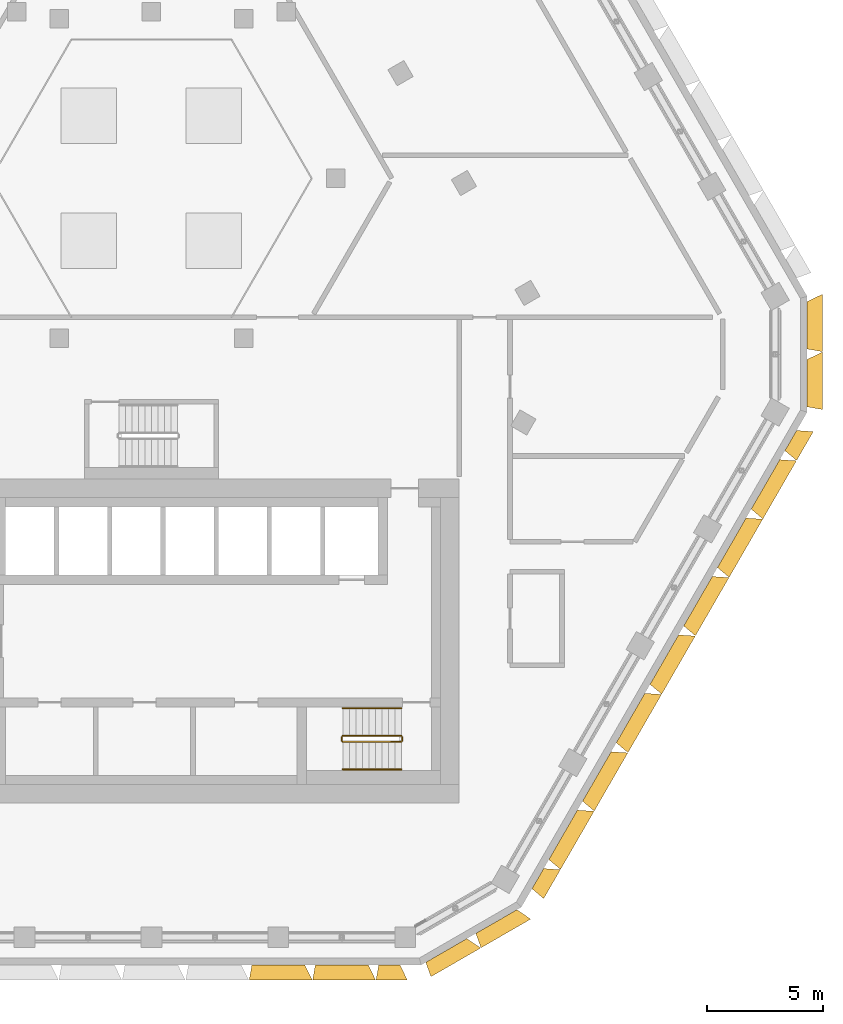
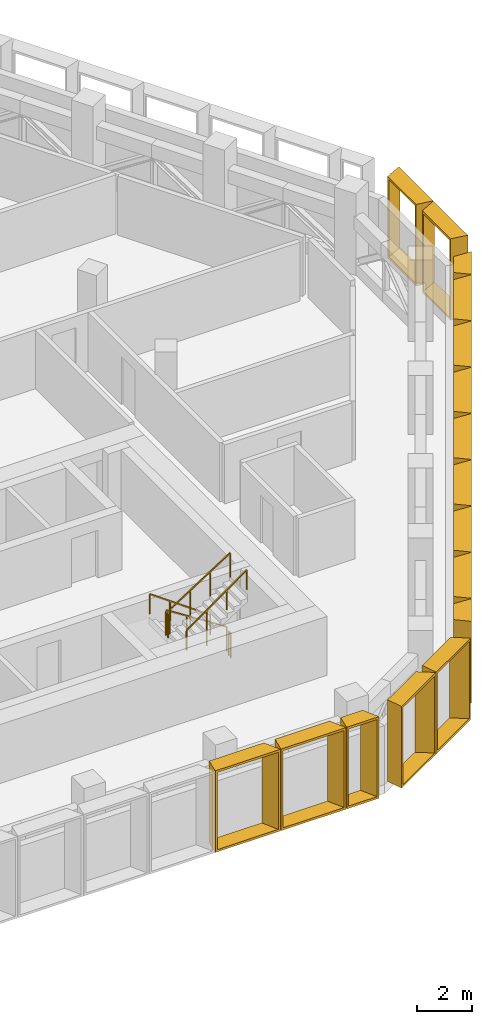
# One storey, part 21 of 22: 16 shading devices, 6 railings.
"""IFC4 building model written with IfcOpenShell, lengths in metres."""

from ifc_helpers import new_model, entity, si_unit, direction, frame, origin, origin_2d, place, context, subcontext, project, spatial, rectangle, extrude, source, transform, mapped, material, type_object, type_shapes, element, save


model = new_model("IFC4")

# Units and contexts
model_context = context("Model", 3, precision=1e-05, world=origin(), true_north=direction((0.0, 1.0)))
body_context = subcontext(model_context, "Body", "Model", "MODEL_VIEW")
ifc_project = project(units=[si_unit("LENGTHUNIT", "METRE"), si_unit("AREAUNIT", "SQUARE_METRE"), si_unit("VOLUMEUNIT", "CUBIC_METRE"), si_unit("PLANEANGLEUNIT", "RADIAN"), si_unit("MASSUNIT", "GRAM", prefix="KILO")], contexts=[model_context])

# Site, building, storey
site_placement = place(None, origin())
site = spatial("IfcSite", under=ifc_project, at=site_placement, CompositionType="ELEMENT")
building_placement = place(site_placement, origin())
building = spatial("IfcBuilding", under=site, at=building_placement, Name="Beryl Residences", CompositionType="ELEMENT")
storey_placement = place(building_placement, frame((0.0, 0.0, 153.60009765625)))
storey = spatial("IfcBuildingStorey", under=building, at=storey_placement, Name="L47", CompositionType="ELEMENT", Elevation=153.60009765625)

# Shading devices
ifc_material_1 = material(Name="Aluminium pale anodised", Category="aluminium")
shading_device_type_1 = type_object("IfcShadingDeviceType", Name="FR137-65C-H36 OUTER SKIN frame 650 mm deep, splay 10/26 deg, 1370 x 3600 mm cell", PredefinedType="USERDEFINED", material=ifc_material_1)
cartesian_point_1 = entity("IfcCartesianPoint", [-0.458984375, 0.0])
cartesian_point_2 = entity("IfcCartesianPoint", [-0.377685546875, 0.10009765625])
cartesian_point_3 = entity("IfcCartesianPoint", [-0.57373046875, 0.0])
cartesian_point_4 = entity("IfcCartesianPoint", [-0.492431640625, 0.10009765625])
shared_shape_1 = source(origin(), body_context, "Body", "SweptSolid", [
    entity("IfcExtrudedAreaSolidTapered", entity("IfcArbitraryProfileDefWithVoids", "AREA", None, entity("IfcPolyline", [cartesian_point_1, entity("IfcCartesianPoint", [0.458984375, 0.0]), entity("IfcCartesianPoint", [0.458984375, 3.60009765625]), entity("IfcCartesianPoint", [-0.458984375, 3.60009765625]), cartesian_point_1]), [entity("IfcPolyline", [cartesian_point_2, entity("IfcCartesianPoint", [0.369873046875, 0.10009765625]), entity("IfcCartesianPoint", [0.369873046875, 3.5]), entity("IfcCartesianPoint", [-0.377685546875, 3.5]), cartesian_point_2])]), entity("IfcAxis2Placement3D", entity("IfcCartesianPoint", [0.0, 0.0, 0.0]), entity("IfcDirection", [0.0, 1.0, 0.0]), entity("IfcDirection", [-1.0, 0.0, 0.0])), entity("IfcDirection", [0.0, 0.0, 1.0]), 0.64990234375, entity("IfcArbitraryProfileDefWithVoids", "AREA", None, entity("IfcPolyline", [cartesian_point_3, entity("IfcCartesianPoint", [0.776123046875, 0.0]), entity("IfcCartesianPoint", [0.776123046875, 3.60009765625]), entity("IfcCartesianPoint", [-0.57373046875, 3.60009765625]), cartesian_point_3]), [entity("IfcPolyline", [cartesian_point_4, entity("IfcCartesianPoint", [0.68701171875, 0.10009765625]), entity("IfcCartesianPoint", [0.68701171875, 3.5]), entity("IfcCartesianPoint", [-0.492431640625, 3.5]), cartesian_point_4])])),
])
type_shapes(shading_device_type_1, [shared_shape_1])
shading_device_placement = place(storey_placement, frame((10.284912109375, -26.0, 0.0), z_axis=(0.0, 0.0, 1.0), x_axis=(-1.0, 0.0, 0.0)))
element("IfcShadingDevice", 1, at=shading_device_placement, inside=storey, type_object=shading_device_type_1, Name="FR137-65C-H36 frame L47 S 9", ObjectType="OUTER SKIN", PredefinedType="USERDEFINED", context=body_context, shape_type="MappedRepresentation", body=[
    mapped(shared_shape_1, transform((0.0, 0.0, 0.0))),
])
ifc_material_2 = material(Name="Aluminium pale anodised", Category="aluminium")
shading_device_type_2 = type_object("IfcShadingDeviceType", Name="FR146-65C-H36 OUTER SKIN frame 650 mm deep, splay 10/26 deg, 1460 x 3600 mm cell", PredefinedType="USERDEFINED", material=ifc_material_2)
cartesian_point_5 = entity("IfcCartesianPoint", [-0.50390625, 0.0])
cartesian_point_6 = entity("IfcCartesianPoint", [-0.4228515625, 0.10009765625])
cartesian_point_7 = entity("IfcCartesianPoint", [-0.61865234375, 0.0])
cartesian_point_8 = entity("IfcCartesianPoint", [-0.537353515625, 0.10009765625])
shared_shape_2 = source(origin(), body_context, "Body", "SweptSolid", [
    entity("IfcExtrudedAreaSolidTapered", entity("IfcArbitraryProfileDefWithVoids", "AREA", None, entity("IfcPolyline", [cartesian_point_5, entity("IfcCartesianPoint", [0.50390625, 0.0]), entity("IfcCartesianPoint", [0.50390625, 3.60009765625]), entity("IfcCartesianPoint", [-0.50390625, 3.60009765625]), cartesian_point_5]), [entity("IfcPolyline", [cartesian_point_6, entity("IfcCartesianPoint", [0.4150390625, 0.10009765625]), entity("IfcCartesianPoint", [0.4150390625, 3.5]), entity("IfcCartesianPoint", [-0.4228515625, 3.5]), cartesian_point_6])]), entity("IfcAxis2Placement3D", entity("IfcCartesianPoint", [0.0, 0.0, 0.0]), entity("IfcDirection", [0.0, 1.0, 0.0]), entity("IfcDirection", [-1.0, 0.0, 0.0])), entity("IfcDirection", [0.0, 0.0, 1.0]), 0.64990234375, entity("IfcArbitraryProfileDefWithVoids", "AREA", None, entity("IfcPolyline", [cartesian_point_7, entity("IfcCartesianPoint", [0.821044921875, 0.0]), entity("IfcCartesianPoint", [0.821044921875, 3.60009765625]), entity("IfcCartesianPoint", [-0.61865234375, 3.60009765625]), cartesian_point_7]), [entity("IfcPolyline", [cartesian_point_8, entity("IfcCartesianPoint", [0.73193359375, 0.10009765625]), entity("IfcCartesianPoint", [0.73193359375, 3.5]), entity("IfcCartesianPoint", [-0.537353515625, 3.5]), cartesian_point_8])])),
])
type_shapes(shading_device_type_2, [shared_shape_2])
for number, where, z_axis, x_axis, name in (
    (2, (16.702880859375, -22.26904296875, 0.0), (0.0, 0.0, 1.0), (-0.5, -0.866025403784, 0.0), "FR146-65C-H36 frame L47 SE 1"),
    (3, (27.635986328125, -3.33203125, 0.0), (0.0, 0.0, 1.0), (-0.5, -0.866025403784, 0.0), "FR146-65C-H36 frame L47 SE 9"),
):
    element("IfcShadingDevice", number, at=place(storey_placement, frame(where, z_axis=z_axis, x_axis=x_axis)), inside=storey, type_object=shading_device_type_2, Name=name, ObjectType="OUTER SKIN", PredefinedType="USERDEFINED", context=body_context, shape_type="MappedRepresentation", body=[
        mapped(shared_shape_2, transform((0.0, 0.0, 0.0))),
    ])
ifc_material_3 = material(Name="Aluminium pale anodised", Category="aluminium")
shading_device_type_3 = type_object("IfcShadingDeviceType", Name="FR250-65C-H36 OUTER SKIN frame 650 mm deep, splay 10/26 deg, 2500 x 3600 mm cell", PredefinedType="USERDEFINED", material=ifc_material_3)
cartesian_point_9 = entity("IfcCartesianPoint", [-1.02392578125, 0.0])
cartesian_point_10 = entity("IfcCartesianPoint", [-0.94287109375, 0.10009765625])
cartesian_point_11 = entity("IfcCartesianPoint", [-1.138671875, 0.0])
cartesian_point_12 = entity("IfcCartesianPoint", [-1.057373046875, 0.10009765625])
shared_shape_3 = source(origin(), body_context, "Body", "SweptSolid", [
    entity("IfcExtrudedAreaSolidTapered", entity("IfcArbitraryProfileDefWithVoids", "AREA", None, entity("IfcPolyline", [cartesian_point_9, entity("IfcCartesianPoint", [1.02392578125, 0.0]), entity("IfcCartesianPoint", [1.02392578125, 3.60009765625]), entity("IfcCartesianPoint", [-1.02392578125, 3.60009765625]), cartesian_point_9]), [entity("IfcPolyline", [cartesian_point_10, entity("IfcCartesianPoint", [0.93505859375, 0.10009765625]), entity("IfcCartesianPoint", [0.93505859375, 3.5]), entity("IfcCartesianPoint", [-0.94287109375, 3.5]), cartesian_point_10])]), entity("IfcAxis2Placement3D", entity("IfcCartesianPoint", [0.0, 0.0, 0.0]), entity("IfcDirection", [0.0, 1.0, 0.0]), entity("IfcDirection", [-1.0, 0.0, 0.0])), entity("IfcDirection", [0.0, 0.0, 1.0]), 0.64990234375, entity("IfcArbitraryProfileDefWithVoids", "AREA", None, entity("IfcPolyline", [cartesian_point_11, entity("IfcCartesianPoint", [1.341064453125, 0.0]), entity("IfcCartesianPoint", [1.341064453125, 3.60009765625]), entity("IfcCartesianPoint", [-1.138671875, 3.60009765625]), cartesian_point_11]), [entity("IfcPolyline", [cartesian_point_12, entity("IfcCartesianPoint", [1.251953125, 0.10009765625]), entity("IfcCartesianPoint", [1.251953125, 3.5]), entity("IfcCartesianPoint", [-1.057373046875, 3.5]), cartesian_point_12])])),
])
type_shapes(shading_device_type_3, [shared_shape_3])
for number, where, z_axis, x_axis, name in (
    (4, (12.7451171875, -25.375, 0.0), (0.0, 0.0, 1.0), (-0.866025403784, -0.5, 0.0), "FR250-65C-H36 frame L47 S-SE 1"),
    (5, (14.909912109375, -24.125, 0.0), (0.0, 0.0, 1.0), (-0.866025403784, -0.5, 0.0), "FR250-65C-H36 frame L47 S-SE 2"),
    (6, (28.347900390625, -0.85009765625, 0.0), (0.0, 0.0, 1.0), (0.0, -1.0, 0.0), "FR250-65C-H36 frame L47 SE-NE 1"),
    (7, (28.347900390625, 1.64990234375, 0.0), (0.0, 0.0, 1.0), (0.0, -1.0, 0.0), "FR250-65C-H36 frame L47 SE-NE 2"),
):
    element("IfcShadingDevice", number, at=place(storey_placement, frame(where, z_axis=z_axis, x_axis=x_axis)), inside=storey, type_object=shading_device_type_3, Name=name, ObjectType="OUTER SKIN", PredefinedType="USERDEFINED", context=body_context, shape_type="MappedRepresentation", body=[
        mapped(shared_shape_3, transform((0.0, 0.0, 0.0))),
    ])
ifc_material_4 = material(Name="Aluminium pale anodised", Category="aluminium")
shading_device_type_4 = type_object("IfcShadingDeviceType", Name="FR274-65C-H36 OUTER SKIN frame 650 mm deep, splay 10/26 deg, 2740 x 3600 mm cell", PredefinedType="USERDEFINED", material=ifc_material_4)
cartesian_point_13 = entity("IfcCartesianPoint", [-1.14404296875, 0.0])
cartesian_point_14 = entity("IfcCartesianPoint", [-1.062744140625, 0.10009765625])
cartesian_point_15 = entity("IfcCartesianPoint", [-1.258544921875, 0.0])
cartesian_point_16 = entity("IfcCartesianPoint", [-1.177490234375, 0.10009765625])
shared_shape_4 = source(origin(), body_context, "Body", "SweptSolid", [
    entity("IfcExtrudedAreaSolidTapered", entity("IfcArbitraryProfileDefWithVoids", "AREA", None, entity("IfcPolyline", [cartesian_point_13, entity("IfcCartesianPoint", [1.14404296875, 0.0]), entity("IfcCartesianPoint", [1.14404296875, 3.60009765625]), entity("IfcCartesianPoint", [-1.14404296875, 3.60009765625]), cartesian_point_13]), [entity("IfcPolyline", [cartesian_point_14, entity("IfcCartesianPoint", [1.054931640625, 0.10009765625]), entity("IfcCartesianPoint", [1.054931640625, 3.5]), entity("IfcCartesianPoint", [-1.062744140625, 3.5]), cartesian_point_14])]), entity("IfcAxis2Placement3D", entity("IfcCartesianPoint", [0.0, 0.0, 0.0]), entity("IfcDirection", [0.0, 1.0, 0.0]), entity("IfcDirection", [-1.0, 0.0, 0.0])), entity("IfcDirection", [0.0, 0.0, 1.0]), 0.64990234375, entity("IfcArbitraryProfileDefWithVoids", "AREA", None, entity("IfcPolyline", [cartesian_point_15, entity("IfcCartesianPoint", [1.4609375, 0.0]), entity("IfcCartesianPoint", [1.4609375, 3.60009765625]), entity("IfcCartesianPoint", [-1.258544921875, 3.60009765625]), cartesian_point_15]), [entity("IfcPolyline", [cartesian_point_16, entity("IfcCartesianPoint", [1.3720703125, 0.10009765625]), entity("IfcCartesianPoint", [1.3720703125, 3.5]), entity("IfcCartesianPoint", [-1.177490234375, 3.5]), cartesian_point_16])])),
])
type_shapes(shading_device_type_4, [shared_shape_4])
for number, where, z_axis, x_axis, name in (
    (8, (5.486083984375, -26.0, 0.0), (0.0, 0.0, 1.0), (-1.0, 0.0, 0.0), "FR274-65C-H36 frame L47 S 7"),
    (9, (8.22900390625, -26.0, 0.0), (0.0, 0.0, 1.0), (-1.0, 0.0, 0.0), "FR274-65C-H36 frame L47 S 8"),
):
    element("IfcShadingDevice", number, at=place(storey_placement, frame(where, z_axis=z_axis, x_axis=x_axis)), inside=storey, type_object=shading_device_type_4, Name=name, ObjectType="OUTER SKIN", PredefinedType="USERDEFINED", context=body_context, shape_type="MappedRepresentation", body=[
        mapped(shared_shape_4, transform((0.0, 0.0, 0.0))),
    ])
ifc_material_5 = material(Name="Aluminium pale anodised", Category="aluminium")
shading_device_type_5 = type_object("IfcShadingDeviceType", Name="FR292-65C-H36 OUTER SKIN frame 650 mm deep, splay 10/26 deg, 2920 x 3600 mm cell", PredefinedType="USERDEFINED", material=ifc_material_5)
cartesian_point_17 = entity("IfcCartesianPoint", [-1.23388671875, 0.0])
cartesian_point_18 = entity("IfcCartesianPoint", [-1.15283203125, 0.10009765625])
cartesian_point_19 = entity("IfcCartesianPoint", [-1.3486328125, 0.0])
cartesian_point_20 = entity("IfcCartesianPoint", [-1.267333984375, 0.10009765625])
shared_shape_5 = source(origin(), body_context, "Body", "SweptSolid", [
    entity("IfcExtrudedAreaSolidTapered", entity("IfcArbitraryProfileDefWithVoids", "AREA", None, entity("IfcPolyline", [cartesian_point_17, entity("IfcCartesianPoint", [1.23388671875, 0.0]), entity("IfcCartesianPoint", [1.23388671875, 3.60009765625]), entity("IfcCartesianPoint", [-1.23388671875, 3.60009765625]), cartesian_point_17]), [entity("IfcPolyline", [cartesian_point_18, entity("IfcCartesianPoint", [1.14501953125, 0.10009765625]), entity("IfcCartesianPoint", [1.14501953125, 3.5]), entity("IfcCartesianPoint", [-1.15283203125, 3.5]), cartesian_point_18])]), entity("IfcAxis2Placement3D", entity("IfcCartesianPoint", [0.0, 0.0, 0.0]), entity("IfcDirection", [0.0, 1.0, 0.0]), entity("IfcDirection", [-1.0, 0.0, 0.0])), entity("IfcDirection", [0.0, 0.0, 1.0]), 0.64990234375, entity("IfcArbitraryProfileDefWithVoids", "AREA", None, entity("IfcPolyline", [cartesian_point_19, entity("IfcCartesianPoint", [1.551025390625, 0.0]), entity("IfcCartesianPoint", [1.551025390625, 3.60009765625]), entity("IfcCartesianPoint", [-1.3486328125, 3.60009765625]), cartesian_point_19]), [entity("IfcPolyline", [cartesian_point_20, entity("IfcCartesianPoint", [1.4619140625, 0.10009765625]), entity("IfcCartesianPoint", [1.4619140625, 3.5]), entity("IfcCartesianPoint", [-1.267333984375, 3.5]), cartesian_point_20])])),
])
type_shapes(shading_device_type_5, [shared_shape_5])
for number, where, z_axis, x_axis, name in (
    (10, (17.7958984375, -20.3759765625, 0.0), (0.0, 0.0, 1.0), (-0.5, -0.866025403784, 0.0), "FR292-65C-H36 frame L47 SE 2"),
    (11, (19.25390625, -17.85107421875, 0.0), (0.0, 0.0, 1.0), (-0.5, -0.866025403784, 0.0), "FR292-65C-H36 frame L47 SE 3"),
    (12, (20.7119140625, -15.325927734375, 0.0), (0.0, 0.0, 1.0), (-0.5, -0.866025403784, 0.0), "FR292-65C-H36 frame L47 SE 4"),
    (13, (22.169921875, -12.801025390625, 0.0), (0.0, 0.0, 1.0), (-0.5, -0.866025403784, 0.0), "FR292-65C-H36 frame L47 SE 5"),
    (14, (23.626953125, -10.27587890625, 0.0), (0.0, 0.0, 1.0), (-0.5, -0.866025403784, 0.0), "FR292-65C-H36 frame L47 SE 6"),
    (15, (25.0849609375, -7.7509765625, 0.0), (0.0, 0.0, 1.0), (-0.5, -0.866025403784, 0.0), "FR292-65C-H36 frame L47 SE 7"),
    (16, (26.54296875, -5.22607421875, 0.0), (0.0, 0.0, 1.0), (-0.5, -0.866025403784, 0.0), "FR292-65C-H36 frame L47 SE 8"),
):
    element("IfcShadingDevice", number, at=place(storey_placement, frame(where, z_axis=z_axis, x_axis=x_axis)), inside=storey, type_object=shading_device_type_5, Name=name, ObjectType="OUTER SKIN", PredefinedType="USERDEFINED", context=body_context, shape_type="MappedRepresentation", body=[
        mapped(shared_shape_5, transform((0.0, 0.0, 0.0))),
    ])

# Railings
ifc_material_6 = material(Name="Stainless steel balustrade with glass infill", Category="steel")
railing_type_1 = type_object("IfcRailingType", Name="SG1 stair guard 1100 mm", PredefinedType="GUARDRAIL", material=ifc_material_6)
railing_1_placement = place(storey_placement, frame((10.800048828125, -16.10009765625, 0.179931640625)))
element("IfcRailing", 17, at=railing_1_placement, inside=storey, type_object=railing_type_1, Name="L47 ST-3 stair guard 1", PredefinedType="GUARDRAIL", context=body_context, shape_type="SweptSolid", body=[
    extrude(rectangle(XDim=0.048095703125, YDim=0.048095703125, at=origin_2d()), frame((0.0, 0.0, 1.076171875), z_axis=(-0.841199657755, 0.0, 0.540724639528), x_axis=(0.0, -1.0, 0.0)), (0.0, 0.0, 1.0), 2.995849609375),
    extrude(rectangle(XDim=0.0419921875, YDim=0.0419921875, at=origin_2d()), origin(), (0.0, 0.0, 1.0), 1.052001953125),
    extrude(rectangle(XDim=0.0419921875, YDim=0.0419921875, at=origin_2d()), frame((-0.840087890625, 0.0, 0.5400390625)), (0.0, 0.0, 1.0), 1.052001953125),
    extrude(rectangle(XDim=0.0419921875, YDim=0.0419921875, at=origin_2d()), frame((-1.679931640625, 0.0, 1.079833984375)), (0.0, 0.0, 1.0), 1.052001953125),
    extrude(rectangle(XDim=0.0419921875, YDim=0.0419921875, at=origin_2d()), frame((-2.52001953125, 0.0, 1.619873046875)), (0.0, 0.0, 1.0), 1.052001953125),
])
railing_2_placement = place(storey_placement, frame((8.22998046875, -16.14990234375, 1.7998046875)))
element("IfcRailing", 18, at=railing_2_placement, inside=storey, type_object=railing_type_1, Name="L47 ST-3 stair guard 2", PredefinedType="GUARDRAIL", context=body_context, shape_type="SweptSolid", body=[
    extrude(rectangle(XDim=0.048095703125, YDim=0.048095703125, at=origin_2d()), frame((0.0, 0.0, 1.076171875), z_axis=(0.0, -1.0, 0.0), x_axis=(1.0, 0.0, 0.0)), (0.0, 0.0, 1.0), 0.150146484375),
    extrude(rectangle(XDim=0.0419921875, YDim=0.0419921875, at=origin_2d()), origin(), (0.0, 0.0, 1.0), 1.052001953125),
    extrude(rectangle(XDim=0.0419921875, YDim=0.0419921875, at=origin_2d()), frame((0.0, -0.150146484375, 0.0)), (0.0, 0.0, 1.0), 1.052001953125),
])
railing_3_placement = place(storey_placement, frame((8.280029296875, -16.35009765625, 1.97998046875)))
element("IfcRailing", 19, at=railing_3_placement, inside=storey, type_object=railing_type_1, Name="L47 ST-3 stair guard 3", PredefinedType="GUARDRAIL", context=body_context, shape_type="SweptSolid", body=[
    extrude(rectangle(XDim=0.048095703125, YDim=0.048095703125, at=origin_2d()), frame((0.0, 0.0, 1.076171875), z_axis=(0.841199657755, 0.0, 0.540724639528), x_axis=(0.0, 1.0, 0.0)), (0.0, 0.0, 1.0), 2.995849609375),
    extrude(rectangle(XDim=0.0419921875, YDim=0.0419921875, at=origin_2d()), origin(), (0.0, 0.0, 1.0), 1.052001953125),
    extrude(rectangle(XDim=0.0419921875, YDim=0.0419921875, at=origin_2d()), frame((0.840087890625, 0.0, 0.5400390625)), (0.0, 0.0, 1.0), 1.052001953125),
    extrude(rectangle(XDim=0.0419921875, YDim=0.0419921875, at=origin_2d()), frame((1.679931640625, 0.0, 1.079833984375)), (0.0, 0.0, 1.0), 1.052001953125),
    extrude(rectangle(XDim=0.0419921875, YDim=0.0419921875, at=origin_2d()), frame((2.52001953125, 0.0, 1.619873046875)), (0.0, 0.0, 1.0), 1.052001953125),
])
railing_4_placement = place(storey_placement, frame((10.85009765625, -16.14990234375, 0.0)))
element("IfcRailing", 20, at=railing_4_placement, inside=storey, type_object=railing_type_1, Name="L47 ST-3 stair guard 4", PredefinedType="GUARDRAIL", context=body_context, shape_type="SweptSolid", body=[
    extrude(rectangle(XDim=0.048095703125, YDim=0.048095703125, at=origin_2d()), frame((0.0, 0.0, 1.076171875), z_axis=(0.0, -1.0, 0.0), x_axis=(1.0, 0.0, 0.0)), (0.0, 0.0, 1.0), 0.150146484375),
    extrude(rectangle(XDim=0.0419921875, YDim=0.0419921875, at=origin_2d()), origin(), (0.0, 0.0, 1.0), 1.052001953125),
    extrude(rectangle(XDim=0.0419921875, YDim=0.0419921875, at=origin_2d()), frame((0.0, -0.150146484375, 0.0)), (0.0, 0.0, 1.0), 1.052001953125),
])
ifc_material_7 = material(Name="Stainless steel handrail", Category="steel")
railing_type_2 = type_object("IfcRailingType", Name="SRL1 stair handrail 900 mm", PredefinedType="HANDRAIL", material=ifc_material_7)
railing_5_placement = place(storey_placement, frame((10.800048828125, -14.89990234375, 0.179931640625)))
element("IfcRailing", 21, at=railing_5_placement, inside=storey, type_object=railing_type_2, Name="L47 ST-3 stair handrail 1", PredefinedType="HANDRAIL", context=body_context, shape_type="SweptSolid", body=[
    extrude(rectangle(XDim=0.048095703125, YDim=0.048095703125, at=origin_2d()), frame((0.0, 0.0, 0.8759765625), z_axis=(-0.813728144527, 0.0, 0.581245650998), x_axis=(0.0, -1.0, 0.0)), (0.0, 0.0, 1.0), 3.096923828125),
    extrude(rectangle(XDim=0.0419921875, YDim=0.0419921875, at=origin_2d()), origin(), (0.0, 0.0, 1.0), 0.851806640625),
    extrude(rectangle(XDim=0.0419921875, YDim=0.0419921875, at=origin_2d()), frame((-0.840087890625, 0.0, 0.60009765625)), (0.0, 0.0, 1.0), 0.851806640625),
    extrude(rectangle(XDim=0.0419921875, YDim=0.0419921875, at=origin_2d()), frame((-1.679931640625, 0.0, 1.199951171875)), (0.0, 0.0, 1.0), 0.851806640625),
    extrude(rectangle(XDim=0.0419921875, YDim=0.0419921875, at=origin_2d()), frame((-2.52001953125, 0.0, 1.800048828125)), (0.0, 0.0, 1.0), 0.851806640625),
])
railing_6_placement = place(storey_placement, frame((8.280029296875, -17.550048828125, 1.97998046875)))
element("IfcRailing", 22, at=railing_6_placement, inside=storey, type_object=railing_type_2, Name="L47 ST-3 stair handrail 2", PredefinedType="HANDRAIL", context=body_context, shape_type="SweptSolid", body=[
    extrude(rectangle(XDim=0.048095703125, YDim=0.048095703125, at=origin_2d()), frame((0.0, 0.0, 0.8759765625), z_axis=(0.813765431312, 0.0, 0.581193446971), x_axis=(0.0, 1.0, 0.0)), (0.0, 0.0, 1.0), 3.0966796875),
    extrude(rectangle(XDim=0.0419921875, YDim=0.0419921875, at=origin_2d()), origin(), (0.0, 0.0, 1.0), 0.851806640625),
    extrude(rectangle(XDim=0.0419921875, YDim=0.0419921875, at=origin_2d()), frame((0.840087890625, 0.0, 0.599853515625)), (0.0, 0.0, 1.0), 0.851806640625),
    extrude(rectangle(XDim=0.0419921875, YDim=0.0419921875, at=origin_2d()), frame((1.679931640625, 0.0, 1.199951171875)), (0.0, 0.0, 1.0), 0.851806640625),
    extrude(rectangle(XDim=0.0419921875, YDim=0.0419921875, at=origin_2d()), frame((2.52001953125, 0.0, 1.7998046875)), (0.0, 0.0, 1.0), 0.851806640625),
])

save(model, "model.ifc")
